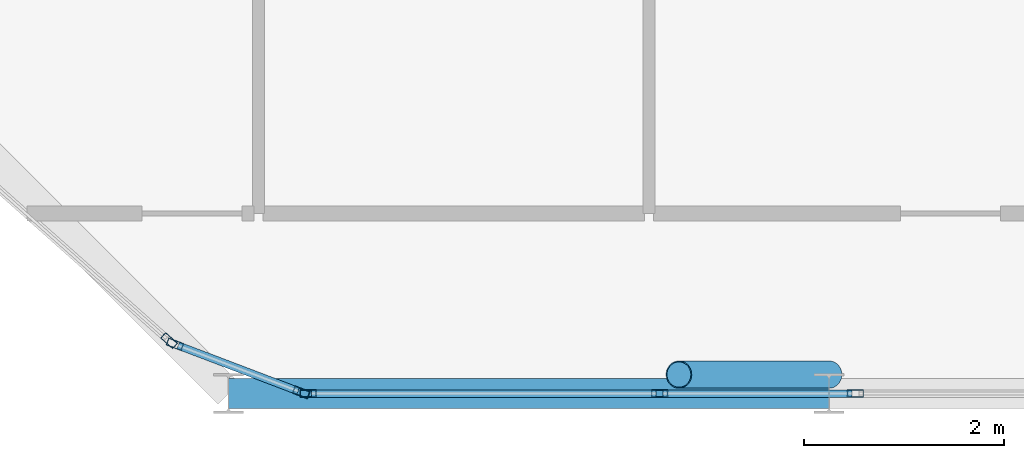
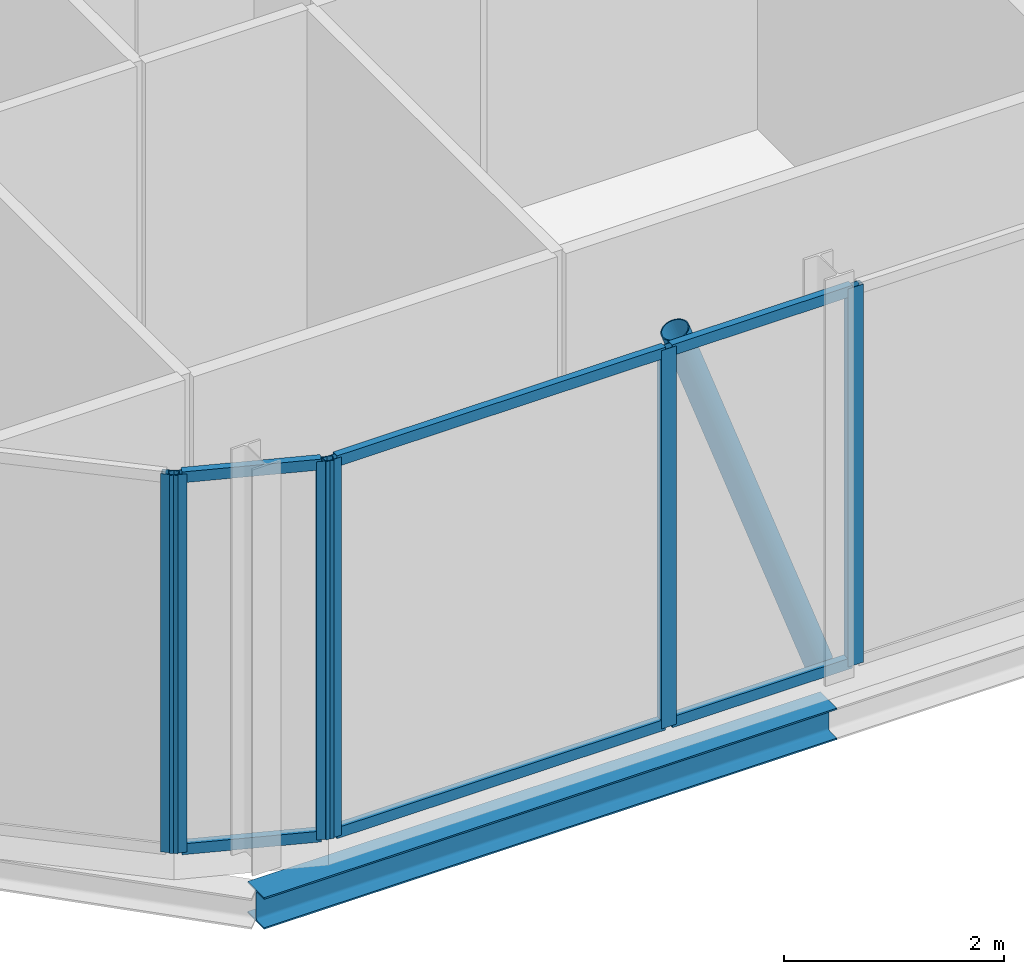
# One storey, part 5 of 24: 13 members, 1 beam, 5 elements without a shape of their own.
"""IFC4 building model written with IfcOpenShell, lengths in metres."""

from ifc_helpers import new_model, si_unit, direction, frame, origin, origin_2d, place, context, subcontext, project, spatial, hollow_rectangle, hollow_circle, i_section, extrude, material, layer, layer_set, material_profile, profile_set, type_object, element, aggregate, save


model = new_model("IFC4")

# Units and contexts
model_context = context("Model", 3, precision=1e-05, world=origin(), true_north=direction((0.0, 1.0)))
body_context = subcontext(model_context, "Body", "Model", "MODEL_VIEW")
ifc_project = project(units=[si_unit("LENGTHUNIT", "METRE"), si_unit("AREAUNIT", "SQUARE_METRE"), si_unit("VOLUMEUNIT", "CUBIC_METRE"), si_unit("PLANEANGLEUNIT", "RADIAN"), si_unit("MASSUNIT", "GRAM", prefix="KILO")], contexts=[model_context])

# Site, building, storey
site_placement = place(None, origin())
site = spatial("IfcSite", under=ifc_project, at=site_placement, CompositionType="ELEMENT")
building_placement = place(site_placement, origin())
building = spatial("IfcBuilding", under=site, at=building_placement, Name="Keshet Zoharim Tower", CompositionType="ELEMENT")
storey_placement = place(building_placement, frame((0.0, 0.0, 299.10009765625)))
storey = spatial("IfcBuildingStorey", under=building, at=storey_placement, Name="L75", CompositionType="ELEMENT", Elevation=299.10009765625)

# Beam
ifc_material_1 = material(Name="Steel S355", Category="steel")
ifc_material_profile_1 = material_profile(ifc_material_1, i_section(OverallWidth=0.300048828125, OverallDepth=0.35009765625, WebThickness=0.010009765625, FlangeThickness=0.017578125, FilletRadius=0.027099609375, at=origin_2d()), Name="HEA360")
ifc_profile_set_1 = profile_set([ifc_material_profile_1], Name="Steel S355")
beam_type = type_object("IfcBeamType", Name="BM-PRI-HA360", PredefinedType="BEAM", material=ifc_profile_set_1)
beam_placement = place(storey_placement, frame((21.0, 6.699951171875, -0.4951171875), z_axis=(1.0, 0.0, 0.0), x_axis=(0.0, 1.0, 0.0)))
element("IfcBeam", 1, at=beam_placement, inside=storey, type_object=beam_type, Name="L75 Primary Girder X-001", PredefinedType="BEAM", context=body_context, shape_type="SweptSolid", body=[
    extrude(i_section(OverallWidth=0.300048828125, OverallDepth=0.35009765625, WebThickness=0.010009765625, FlangeThickness=0.017578125, FilletRadius=0.027099609375, at=origin_2d()), origin(), (0.0, 0.0, 1.0), 6.0),
])

# Curtain wall, member
ifc_material_2 = material(Name="Aluminium 6063-T6", Category="aluminium")
ifc_layer = layer(ifc_material_2, 0.260009765625)
ifc_layer_set = layer_set([ifc_layer], Name="Aluminium 6063-T6")
curtain_wall_type = type_object("IfcCurtainWallType", Name="CW-SYS-06", PredefinedType="NOTDEFINED", material=ifc_layer_set)
curtain_wall_1_placement = place(storey_placement, origin())
curtain_wall_1 = element("IfcCurtainWall", 2, at=curtain_wall_1_placement, inside=storey, type_object=curtain_wall_type, Name="L75 Unitised Curtain Wall 12", PredefinedType="NOTDEFINED")
ifc_material_profile_2 = material_profile(ifc_material_2, hollow_rectangle(XDim=0.074951171875, YDim=0.159912109375, WallThickness=0.00390625, at=origin_2d()), Name="MUL-75x160")
ifc_profile_set_2 = profile_set([ifc_material_profile_2], Name="Aluminium 6063-T6")
member_type_1 = type_object("IfcMemberType", Name="CWM-M15", PredefinedType="MULLION", material=ifc_profile_set_2)
member_1_placement = place(storey_placement, frame((27.263427734375, 6.699951171875, 0.0), z_axis=(0.0, 0.0, 1.0), x_axis=(0.0, -1.0, 0.0)))
member_1 = element("IfcMember", 3, at=member_1_placement, type_object=member_type_1, Name="CW-06 mullion 2", PredefinedType="MULLION", context=body_context, shape_type="SweptSolid", body=[
    extrude(hollow_rectangle(XDim=0.074951171875, YDim=0.159912109375, WallThickness=0.00390625, at=origin_2d()), origin(), (0.0, 0.0, 1.0), 4.18994140625),
])
aggregate(curtain_wall_1, [member_1])

curtain_wall_2_placement = place(storey_placement, origin())
curtain_wall_2 = element("IfcCurtainWall", 4, at=curtain_wall_2_placement, inside=storey, type_object=curtain_wall_type, Name="L75 Unitised Curtain Wall 12 Part 2", PredefinedType="NOTDEFINED")
member_2_placement = place(storey_placement, frame((25.306396484375, 6.699951171875, 0.0), z_axis=(0.0, 0.0, 1.0), x_axis=(0.0, -1.0, 0.0)))
member_2 = element("IfcMember", 5, at=member_2_placement, type_object=member_type_1, Name="CW-06 mullion 2", PredefinedType="MULLION", context=body_context, shape_type="SweptSolid", body=[
    extrude(hollow_rectangle(XDim=0.074951171875, YDim=0.159912109375, WallThickness=0.00390625, at=origin_2d()), origin(), (0.0, 0.0, 1.0), 4.18994140625),
])

curtain_wall_3_placement = place(storey_placement, origin())
curtain_wall_3 = element("IfcCurtainWall", 6, at=curtain_wall_3_placement, inside=storey, type_object=curtain_wall_type, Name="L75 Unitised Curtain Wall 12 Part 3", PredefinedType="NOTDEFINED")
member_3_placement = place(storey_placement, frame((21.794921875, 6.699951171875, 0.0), z_axis=(0.0, 0.0, 1.0), x_axis=(0.0, -1.0, 0.0)))
member_3 = element("IfcMember", 7, at=member_3_placement, type_object=member_type_1, Name="CW-06 mullion 2", PredefinedType="MULLION", context=body_context, shape_type="SweptSolid", body=[
    extrude(hollow_rectangle(XDim=0.074951171875, YDim=0.159912109375, WallThickness=0.00390625, at=origin_2d()), origin(), (0.0, 0.0, 1.0), 4.18994140625),
])

# Curtain wall, members
curtain_wall_4_placement = place(storey_placement, origin())
curtain_wall_4 = element("IfcCurtainWall", 8, at=curtain_wall_4_placement, inside=storey, type_object=curtain_wall_type, Name="L75 Unitised Curtain Wall 13", PredefinedType="NOTDEFINED")
member_4_placement = place(storey_placement, frame((21.727294921875, 6.71240234375, 0.0), z_axis=(0.0, 0.0, 1.0), x_axis=(-0.355439161326, -0.934699418314, 0.0)))
member_4 = element("IfcMember", 9, at=member_4_placement, type_object=member_type_1, Name="CW-06 mullion 1", PredefinedType="MULLION", context=body_context, shape_type="SweptSolid", body=[
    extrude(hollow_rectangle(XDim=0.074951171875, YDim=0.159912109375, WallThickness=0.00390625, at=origin_2d()), origin(), (0.0, 0.0, 1.0), 4.18994140625),
])
member_5_placement = place(storey_placement, frame((20.464599609375, 7.192626953125, 0.0), z_axis=(0.0, 0.0, 1.0), x_axis=(-0.355439161326, -0.934699418314, 0.0)))
member_5 = element("IfcMember", 10, at=member_5_placement, type_object=member_type_1, Name="CW-06 mullion 2", PredefinedType="MULLION", context=body_context, shape_type="SweptSolid", body=[
    extrude(hollow_rectangle(XDim=0.074951171875, YDim=0.159912109375, WallThickness=0.00390625, at=origin_2d()), origin(), (0.0, 0.0, 1.0), 4.18994140625),
])

# Curtain wall, member
curtain_wall_5_placement = place(storey_placement, origin())
curtain_wall_5 = element("IfcCurtainWall", 11, at=curtain_wall_5_placement, inside=storey, type_object=curtain_wall_type, Name="L75 Unitised Curtain Wall 14", PredefinedType="NOTDEFINED")
member_6_placement = place(storey_placement, frame((20.40576171875, 7.228271484375, 0.0), z_axis=(0.0, 0.0, 1.0), x_axis=(-0.664361350167, -0.747411530821, 0.0)))
member_6 = element("IfcMember", 12, at=member_6_placement, type_object=member_type_1, Name="CW-06 mullion 1", PredefinedType="MULLION", context=body_context, shape_type="SweptSolid", body=[
    extrude(hollow_rectangle(XDim=0.074951171875, YDim=0.159912109375, WallThickness=0.00390625, at=origin_2d()), origin(), (0.0, 0.0, 1.0), 4.18994140625),
])
aggregate(curtain_wall_5, [member_6])

# Member
ifc_material_profile_3 = material_profile(ifc_material_2, hollow_rectangle(XDim=0.074951171875, YDim=0.1201171875, WallThickness=0.00390625, at=origin_2d()), Name="TRN-75x120")
ifc_profile_set_3 = profile_set([ifc_material_profile_3], Name="Aluminium 6063-T6")
member_type_2 = type_object("IfcMemberType", Name="CWT-T12", PredefinedType="USERDEFINED", material=ifc_profile_set_3)
member_7_placement = place(storey_placement, frame((27.228515625, 6.699951171875, 0.034912109375), z_axis=(-1.0, 0.0, 0.0), x_axis=(0.0, -1.0, 0.0)))
member_7 = element("IfcMember", 13, at=member_7_placement, type_object=member_type_2, Name="CW-06 transom 1.1", ObjectType="TRANSOM", PredefinedType="USERDEFINED", context=body_context, shape_type="SweptSolid", body=[
    extrude(hollow_rectangle(XDim=0.074951171875, YDim=0.1201171875, WallThickness=0.00390625, at=origin_2d()), origin(), (0.0, 0.0, 1.0), 1.886962890625),
])

member_8_placement = place(storey_placement, frame((27.228515625, 6.699951171875, 4.15478515625), z_axis=(-1.0, 0.0, 0.0), x_axis=(0.0, -1.0, 0.0)))
member_8 = element("IfcMember", 14, at=member_8_placement, type_object=member_type_2, Name="CW-06 transom 1.2", ObjectType="TRANSOM", PredefinedType="USERDEFINED", context=body_context, shape_type="SweptSolid", body=[
    extrude(hollow_rectangle(XDim=0.074951171875, YDim=0.1201171875, WallThickness=0.00390625, at=origin_2d()), origin(), (0.0, 0.0, 1.0), 1.886962890625),
])

aggregate(curtain_wall_2, [member_2, member_7, member_8])

member_9_placement = place(storey_placement, frame((25.271484375, 6.699951171875, 0.034912109375), z_axis=(-1.0, 0.0, 0.0), x_axis=(0.0, -1.0, 0.0)))
member_9 = element("IfcMember", 15, at=member_9_placement, type_object=member_type_2, Name="CW-06 transom 1.1", ObjectType="TRANSOM", PredefinedType="USERDEFINED", context=body_context, shape_type="SweptSolid", body=[
    extrude(hollow_rectangle(XDim=0.074951171875, YDim=0.1201171875, WallThickness=0.00390625, at=origin_2d()), origin(), (0.0, 0.0, 1.0), 3.44140625),
])

member_10_placement = place(storey_placement, frame((25.271484375, 6.699951171875, 4.15478515625), z_axis=(-1.0, 0.0, 0.0), x_axis=(0.0, -1.0, 0.0)))
member_10 = element("IfcMember", 16, at=member_10_placement, type_object=member_type_2, Name="CW-06 transom 1.2", ObjectType="TRANSOM", PredefinedType="USERDEFINED", context=body_context, shape_type="SweptSolid", body=[
    extrude(hollow_rectangle(XDim=0.074951171875, YDim=0.1201171875, WallThickness=0.00390625, at=origin_2d()), origin(), (0.0, 0.0, 1.0), 3.44140625),
])

aggregate(curtain_wall_3, [member_3, member_9, member_10])

member_11_placement = place(storey_placement, frame((21.694580078125, 6.724853515625, 0.034912109375), z_axis=(-0.934689881536, 0.355464239206, 0.0), x_axis=(-0.355464239206, -0.934689881536, 0.0)))
member_11 = element("IfcMember", 17, at=member_11_placement, type_object=member_type_2, Name="CW-06 transom 1.1", ObjectType="TRANSOM", PredefinedType="USERDEFINED", context=body_context, shape_type="SweptSolid", body=[
    extrude(hollow_rectangle(XDim=0.074951171875, YDim=0.1201171875, WallThickness=0.00390625, at=origin_2d()), origin(), (0.0, 0.0, 1.0), 1.281005859375),
])

member_12_placement = place(storey_placement, frame((21.694580078125, 6.724853515625, 4.15478515625), z_axis=(-0.934689881536, 0.355464239206, 0.0), x_axis=(-0.355464239206, -0.934689881536, 0.0)))
member_12 = element("IfcMember", 18, at=member_12_placement, type_object=member_type_2, Name="CW-06 transom 1.2", ObjectType="TRANSOM", PredefinedType="USERDEFINED", context=body_context, shape_type="SweptSolid", body=[
    extrude(hollow_rectangle(XDim=0.074951171875, YDim=0.1201171875, WallThickness=0.00390625, at=origin_2d()), origin(), (0.0, 0.0, 1.0), 1.281005859375),
])

aggregate(curtain_wall_4, [member_4, member_5, member_11, member_12])

ifc_material_profile_4 = material_profile(ifc_material_1, hollow_circle(Radius=0.136474609375, WallThickness=0.010009765625, at=origin_2d()), Name="CHS273x10")
ifc_profile_set_4 = profile_set([ifc_material_profile_4], Name="Steel S355")
member_type_3 = type_object("IfcMemberType", Name="MB-BR-C273", PredefinedType="BRACE", material=ifc_profile_set_4)
member_13_placement = place(storey_placement, frame((27.0, 6.889892578125, 0.0), z_axis=(-0.337052194166, 0.0, 0.941485962937), x_axis=(0.0, -1.0, 0.0)))
element("IfcMember", 19, at=member_13_placement, inside=storey, type_object=member_type_3, Name="L75 Perimeter Tube Brace 02", PredefinedType="BRACE", context=body_context, shape_type="SweptSolid", body=[
    extrude(hollow_circle(Radius=0.136474609375, WallThickness=0.010009765625, at=origin_2d()), origin(), (0.0, 0.0, 1.0), 4.450439453125),
])

save(model, "model.ifc")
